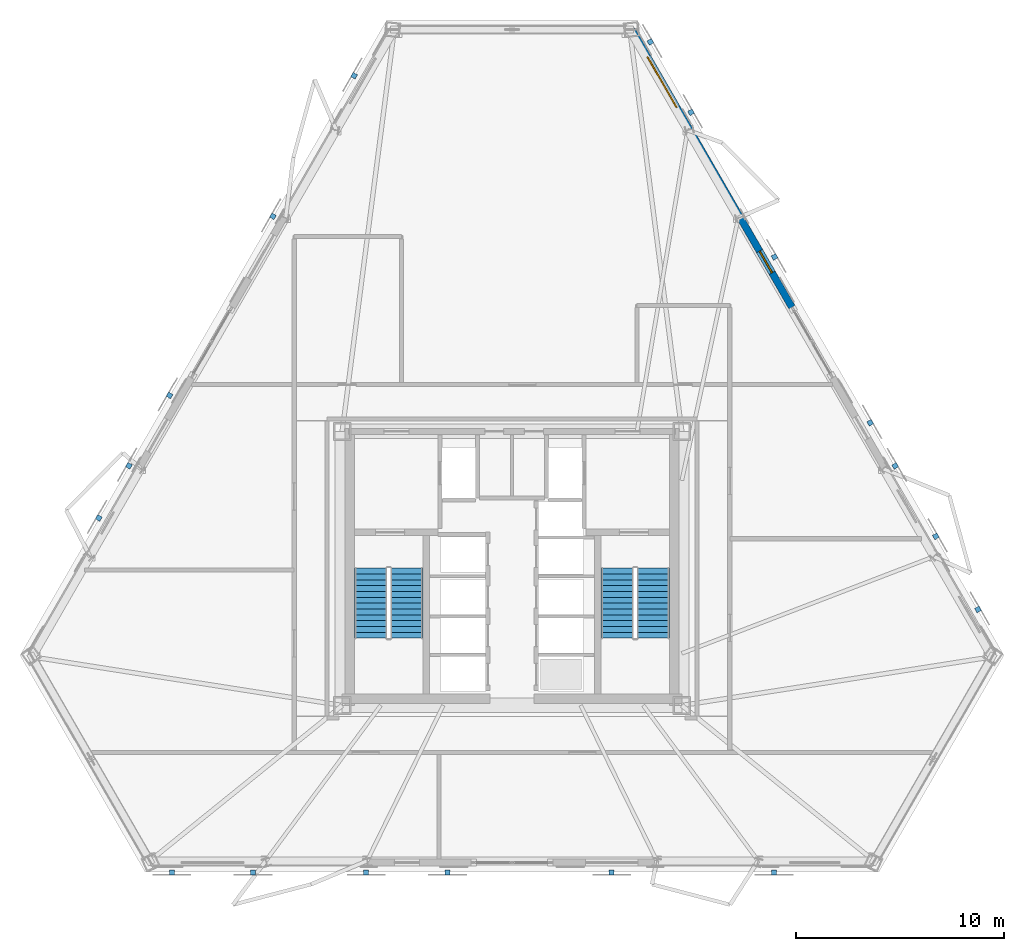
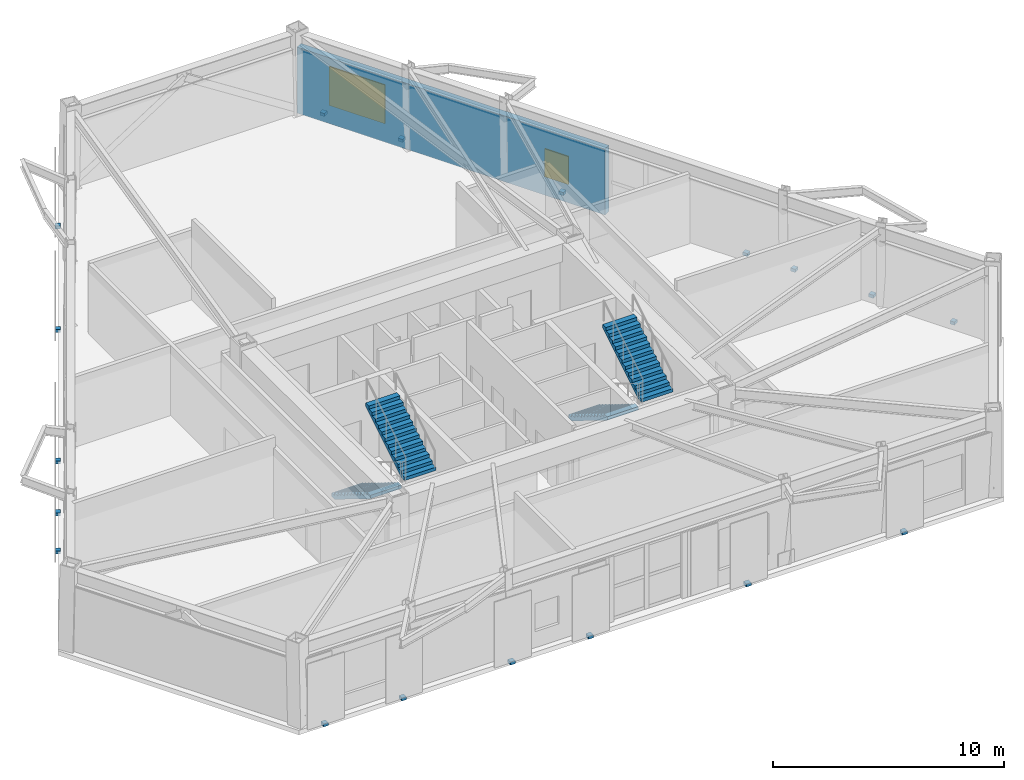
# One storey, part 10 of 14: 18 discrete accessories, 4 stair flights, 2 windows, 1 wall, 2 openings, 2 elements without a shape of their own.
"""IFC4 building model written with IfcOpenShell, lengths in metres."""

from ifc_helpers import new_model, si_unit, direction, frame, frame_2d, origin, origin_2d, place, context, subcontext, project, spatial, polyline, rectangle, outline, extrude, material, layer, layer_set, type_object, element, fill, aggregate, save


model = new_model("IFC4")

# Units and contexts
model_context = context("Model", 3, precision=1e-05, world=origin(), true_north=direction((0.0, 1.0)))
body_context = subcontext(model_context, "Body", "Model", "MODEL_VIEW")
ifc_project = project(units=[si_unit("LENGTHUNIT", "METRE"), si_unit("AREAUNIT", "SQUARE_METRE"), si_unit("VOLUMEUNIT", "CUBIC_METRE"), si_unit("PLANEANGLEUNIT", "RADIAN"), si_unit("MASSUNIT", "GRAM", prefix="KILO")], contexts=[model_context])

# Site, building, storey
site_placement = place(None, origin())
site = spatial("IfcSite", under=ifc_project, at=site_placement, CompositionType="ELEMENT")
building_placement = place(site_placement, origin())
building = spatial("IfcBuilding", under=site, at=building_placement, Name="Oramaril Tower", CompositionType="ELEMENT")
storey_placement = place(building_placement, frame((0.0, 0.0, 107.699951171875)))
storey = spatial("IfcBuildingStorey", under=building, at=storey_placement, Name="L28", CompositionType="ELEMENT", Elevation=107.699951171875)

# Wall, openings, windows
ifc_material_1 = material(Name="Warm Cream Limestone", Category="masonry")
ifc_layer = layer(ifc_material_1, 0.340087890625)
ifc_layer_set = layer_set([ifc_layer], Name="WT-EXT34")
wall_type = type_object("IfcWallType", Name="WT-EXT34", PredefinedType="SOLIDWALL", material=ifc_layer_set)
wall_placement = place(storey_placement, frame((50.936279296875, 30.109130859375, 0.0), z_axis=(0.0, 0.0, 1.0), x_axis=(-0.500002645523, 0.866023876385, 0.0)))
wall = element("IfcWall", 1, at=wall_placement, inside=storey, type_object=wall_type, Name="L28 Tower Limestone Facade Wall 4R", PredefinedType="SOLIDWALL", context=body_context, shape_type="SweptSolid", body=[
    extrude(rectangle(XDim=15.38671875, YDim=0.340087890625, at=frame_2d((7.693359375, 0.0))), origin(), (0.0, 0.0, 1.0), 3.47802734375),
])
opening_1_placement = place(wall_placement, frame((1.910888671875, 0.0, 0.85009765625)))
opening_1 = element("IfcOpeningElement", 2, at=opening_1_placement, cuts=wall, Name="Opening WN-09", PredefinedType="OPENING", context=body_context, shape_type="SweptSolid", body=[
    extrude(rectangle(XDim=1.199951171875, YDim=1.47998046875, at=frame_2d((0.60009765625, 0.739990234375))), frame((0.0, 0.169921875, 0.0), z_axis=(0.0, -1.0, 0.0), x_axis=(1.0, 0.0, 0.0)), (0.0, 0.0, 1.0), 0.340087890625),
])
opening_2_placement = place(wall_placement, frame((11.07568359375, 0.0, 0.85009765625)))
opening_2 = element("IfcOpeningElement", 3, at=opening_2_placement, cuts=wall, Name="Opening WN-01", PredefinedType="OPENING", context=body_context, shape_type="SweptSolid", body=[
    extrude(rectangle(XDim=2.800048828125, YDim=2.050048828125, at=frame_2d((1.39990234375, 1.02490234375))), frame((0.0, 0.169921875, 0.0), z_axis=(0.0, -1.0, 0.0), x_axis=(1.0, 0.0, 0.0)), (0.0, 0.0, 1.0), 0.340087890625),
])
ifc_material_2 = material(Name="Coastal Low-E Insulated Glass", Category="glass")
window_type_1 = type_object("IfcWindowType", Name="WNT-01", PartitioningType="SINGLE_PANEL", PredefinedType="WINDOW", material=ifc_material_2)
window_1_placement = place(opening_2_placement, origin())
window_1 = element("IfcWindow", 4, at=window_1_placement, inside=storey, type_object=window_type_1, Name="L28 Chicago Bay Window WN-01", OverallHeight=2.050048828125, OverallWidth=2.800048828125, PartitioningType="SINGLE_PANEL", PredefinedType="WINDOW", context=body_context, shape_type="SweptSolid", body=[
    extrude(rectangle(XDim=2.800048828125, YDim=2.050048828125, at=frame_2d((1.39990234375, 1.02490234375))), frame((0.0, 0.030029296875, 0.0), z_axis=(0.0, -1.0, 0.0), x_axis=(1.0, 0.0, 0.0)), (0.0, 0.0, 1.0), 0.06005859375),
])
fill(opening_2, window_1)
ifc_material_3 = material(Name="Coastal Low-E Insulated Glass", Category="glass")
window_type_2 = type_object("IfcWindowType", Name="WNT-09", PartitioningType="SINGLE_PANEL", PredefinedType="WINDOW", material=ifc_material_3)
window_2_placement = place(opening_1_placement, origin())
window_2 = element("IfcWindow", 5, at=window_2_placement, inside=storey, type_object=window_type_2, Name="L28 Chicago Bay Window WN-09", OverallHeight=1.47998046875, OverallWidth=1.199951171875, PartitioningType="SINGLE_PANEL", PredefinedType="WINDOW", context=body_context, shape_type="SweptSolid", body=[
    extrude(rectangle(XDim=1.199951171875, YDim=1.47998046875, at=frame_2d((0.60009765625, 0.739990234375))), frame((0.0, 0.030029296875, 0.0), z_axis=(0.0, -1.0, 0.0), x_axis=(1.0, 0.0, 0.0)), (0.0, 0.0, 1.0), 0.06005859375),
])
fill(opening_1, window_2)

# Stair, stair flights
ifc_material_4 = material(Name="Concrete C50/60", Category="concrete")
stair_type = type_object("IfcStairType", Name="STT-DG-4500", PredefinedType="HALF_TURN_STAIR", material=ifc_material_4)
stair_1_placement = place(storey_placement, origin())
stair_1 = element("IfcStair", 6, at=stair_1_placement, inside=storey, type_object=stair_type, Name="L28 Protected PFP Exit Stair ST-1", PredefinedType="HALF_TURN_STAIR")
ifc_material_5 = material(Name="Concrete C50/60", Category="concrete")
stair_flight_type = type_object("IfcStairFlightType", Name="SFT-DG-4500", PredefinedType="STRAIGHT", material=ifc_material_5)
stair_flight_1_placement = place(storey_placement, frame((30.72998046875, 17.590087890625, 0.0), z_axis=(0.0, 0.0, 1.0), x_axis=(0.0, -1.0, 0.0)))
stair_flight_1 = element("IfcStairFlight", 7, at=stair_flight_1_placement, type_object=stair_flight_type, Name="ST-1 flight 1", NumberOfRisers=13, NumberOfTreads=12, PredefinedType="STRAIGHT", RiserHeight=0.173076923, TreadLength=0.28, context=body_context, shape_type="SweptSolid", body=[
    extrude(outline(polyline([(0.0, 0.0), (0.0, 0.173095703125), (0.280029296875, 0.173095703125), (0.280029296875, 0.34619140625), (0.56005859375, 0.34619140625), (0.56005859375, 0.519287109375), (0.840087890625, 0.519287109375), (0.840087890625, 0.6923828125), (1.1201171875, 0.6923828125), (1.1201171875, 0.865478515625), (1.39990234375, 0.865478515625), (1.39990234375, 1.03857421875), (1.679931640625, 1.03857421875), (1.679931640625, 1.21142578125), (1.9599609375, 1.21142578125), (1.9599609375, 1.384521484375), (2.239990234375, 1.384521484375), (2.239990234375, 1.5576171875), (2.52001953125, 1.5576171875), (2.52001953125, 1.730712890625), (2.800048828125, 1.730712890625), (2.800048828125, 1.90380859375), (3.080078125, 1.90380859375), (3.080078125, 2.076904296875), (3.360107421875, 2.076904296875), (3.360107421875, 2.25), (3.360107421875, 1.900634765625), (0.28515625, 0.0), (0.0, 0.0)])), frame((0.0, 0.780029296875, 0.0), z_axis=(0.0, -1.0, 0.0), x_axis=(1.0, 0.0, 0.0)), (0.0, 0.0, 1.0), 1.56005859375),
])
stair_flight_2_placement = place(storey_placement, frame((32.43994140625, 14.22998046875, 2.25), z_axis=(0.0, 0.0, 1.0), x_axis=(0.0, 1.0, 0.0)))
stair_flight_2 = element("IfcStairFlight", 8, at=stair_flight_2_placement, type_object=stair_flight_type, Name="ST-1 flight 2", NumberOfRisers=13, NumberOfTreads=12, PredefinedType="STRAIGHT", RiserHeight=0.173076923, TreadLength=0.28, context=body_context, shape_type="SweptSolid", body=[
    extrude(outline(polyline([(0.0, 0.0), (0.0, 0.173095703125), (0.280029296875, 0.173095703125), (0.280029296875, 0.34619140625), (0.56005859375, 0.34619140625), (0.56005859375, 0.519287109375), (0.840087890625, 0.519287109375), (0.840087890625, 0.6923828125), (1.1201171875, 0.6923828125), (1.1201171875, 0.865478515625), (1.39990234375, 0.865478515625), (1.39990234375, 1.03857421875), (1.679931640625, 1.03857421875), (1.679931640625, 1.21142578125), (1.9599609375, 1.21142578125), (1.9599609375, 1.384521484375), (2.239990234375, 1.384521484375), (2.239990234375, 1.5576171875), (2.52001953125, 1.5576171875), (2.52001953125, 1.730712890625), (2.800048828125, 1.730712890625), (2.800048828125, 1.90380859375), (3.080078125, 1.90380859375), (3.080078125, 2.076904296875), (3.360107421875, 2.076904296875), (3.360107421875, 2.25), (3.360107421875, 1.900634765625), (0.28515625, 0.0), (0.0, 0.0)])), frame((0.0, 0.780029296875, 0.0), z_axis=(0.0, -1.0, 0.0), x_axis=(1.0, 0.0, 0.0)), (0.0, 0.0, 1.0), 1.56005859375),
])
aggregate(stair_1, [stair_flight_1, stair_flight_2])

stair_2_placement = place(storey_placement, origin())
stair_2 = element("IfcStair", 9, at=stair_2_placement, inside=storey, type_object=stair_type, Name="L28 Protected PFP Exit Stair ST-2", PredefinedType="HALF_TURN_STAIR")
stair_flight_3_placement = place(storey_placement, frame((42.56005859375, 17.590087890625, 0.0), z_axis=(0.0, 0.0, 1.0), x_axis=(0.0, -1.0, 0.0)))
stair_flight_3 = element("IfcStairFlight", 10, at=stair_flight_3_placement, type_object=stair_flight_type, Name="ST-2 flight 1", NumberOfRisers=13, NumberOfTreads=12, PredefinedType="STRAIGHT", RiserHeight=0.173076923, TreadLength=0.28, context=body_context, shape_type="SweptSolid", body=[
    extrude(outline(polyline([(0.0, 0.0), (0.0, 0.173095703125), (0.280029296875, 0.173095703125), (0.280029296875, 0.34619140625), (0.56005859375, 0.34619140625), (0.56005859375, 0.519287109375), (0.840087890625, 0.519287109375), (0.840087890625, 0.6923828125), (1.1201171875, 0.6923828125), (1.1201171875, 0.865478515625), (1.39990234375, 0.865478515625), (1.39990234375, 1.03857421875), (1.679931640625, 1.03857421875), (1.679931640625, 1.21142578125), (1.9599609375, 1.21142578125), (1.9599609375, 1.384521484375), (2.239990234375, 1.384521484375), (2.239990234375, 1.5576171875), (2.52001953125, 1.5576171875), (2.52001953125, 1.730712890625), (2.800048828125, 1.730712890625), (2.800048828125, 1.90380859375), (3.080078125, 1.90380859375), (3.080078125, 2.076904296875), (3.360107421875, 2.076904296875), (3.360107421875, 2.25), (3.360107421875, 1.900634765625), (0.28515625, 0.0), (0.0, 0.0)])), frame((0.0, 0.780029296875, 0.0), z_axis=(0.0, -1.0, 0.0), x_axis=(1.0, 0.0, 0.0)), (0.0, 0.0, 1.0), 1.56005859375),
])
stair_flight_4_placement = place(storey_placement, frame((44.27001953125, 14.22998046875, 2.25), z_axis=(0.0, 0.0, 1.0), x_axis=(0.0, 1.0, 0.0)))
stair_flight_4 = element("IfcStairFlight", 11, at=stair_flight_4_placement, type_object=stair_flight_type, Name="ST-2 flight 2", NumberOfRisers=13, NumberOfTreads=12, PredefinedType="STRAIGHT", RiserHeight=0.173076923, TreadLength=0.28, context=body_context, shape_type="SweptSolid", body=[
    extrude(outline(polyline([(0.0, 0.0), (0.0, 0.173095703125), (0.280029296875, 0.173095703125), (0.280029296875, 0.34619140625), (0.56005859375, 0.34619140625), (0.56005859375, 0.519287109375), (0.840087890625, 0.519287109375), (0.840087890625, 0.6923828125), (1.1201171875, 0.6923828125), (1.1201171875, 0.865478515625), (1.39990234375, 0.865478515625), (1.39990234375, 1.03857421875), (1.679931640625, 1.03857421875), (1.679931640625, 1.21142578125), (1.9599609375, 1.21142578125), (1.9599609375, 1.384521484375), (2.239990234375, 1.384521484375), (2.239990234375, 1.5576171875), (2.52001953125, 1.5576171875), (2.52001953125, 1.730712890625), (2.800048828125, 1.730712890625), (2.800048828125, 1.90380859375), (3.080078125, 1.90380859375), (3.080078125, 2.076904296875), (3.360107421875, 2.076904296875), (3.360107421875, 2.25), (3.360107421875, 1.900634765625), (0.28515625, 0.0), (0.0, 0.0)])), frame((0.0, 0.780029296875, 0.0), z_axis=(0.0, -1.0, 0.0), x_axis=(1.0, 0.0, 0.0)), (0.0, 0.0, 1.0), 1.56005859375),
])
aggregate(stair_2, [stair_flight_3, stair_flight_4])

# Discrete accessories
for number, where, z_axis, x_axis, name in (
    (12, (21.17431640625, 2.9794921875, -0.14013671875), (0.0, 0.0, 1.0), (1.0, 0.0, 0.0), "L28 Solar Screen Slab Bracket"),
    (13, (25.07421875, 2.9794921875, -0.14013671875), (0.0, 0.0, 1.0), (1.0, 0.0, 0.0), "L28 Solar Screen Slab Bracket"),
    (14, (30.5048828125, 2.9794921875, -0.14013671875), (0.0, 0.0, 1.0), (1.0, 0.0, 0.0), "L28 Solar Screen Slab Bracket"),
    (15, (34.40478515625, 2.9794921875, -0.14013671875), (0.0, 0.0, 1.0), (1.0, 0.0, 0.0), "L28 Solar Screen Slab Bracket"),
    (16, (42.285888671875, 2.9794921875, -0.14013671875), (0.0, 0.0, 1.0), (1.0, 0.0, 0.0), "L28 Solar Screen Slab Bracket"),
    (17, (50.07568359375, 2.9794921875, -0.14013671875), (0.0, 0.0, 1.0), (1.0, 0.0, 0.0), "L28 Solar Screen Slab Bracket"),
    (18, (59.86376953125, 15.60595703125, -0.14013671875), (0.0, 0.0, 1.0), (-0.499996976998, 0.866027149108, 0.0), "L28 Solar Screen Slab Bracket"),
    (19, (57.83740234375, 19.11572265625, -0.14013671875), (0.0, 0.0, 1.0), (-0.499996976998, 0.866027149108, 0.0), "L28 Solar Screen Slab Bracket"),
    (20, (55.887451171875, 22.4931640625, -0.14013671875), (0.0, 0.0, 1.0), (-0.499996976998, 0.866027149108, 0.0), "L28 Solar Screen Slab Bracket"),
    (21, (54.691162109375, 24.5654296875, -0.14013671875), (0.0, 0.0, 1.0), (-0.499996976998, 0.866027149108, 0.0), "L28 Solar Screen Slab Bracket"),
    (22, (50.096435546875, 32.5234375, -0.14013671875), (0.0, 0.0, 1.0), (-0.5, 0.866025403784, 0.0), "L28 Solar Screen Slab Bracket"),
    (23, (46.089111328125, 39.464599609375, -0.14013671875), (0.0, 0.0, 1.0), (-0.5, 0.866025403784, 0.0), "L28 Solar Screen Slab Bracket"),
    (24, (44.138916015625, 42.84228515625, -0.14013671875), (0.0, 0.0, 1.0), (-0.5, 0.866025403784, 0.0), "L28 Solar Screen Slab Bracket"),
    (25, (29.923583984375, 41.218505859375, -0.14013671875), (0.0, 0.0, 1.0), (-0.499996976998, -0.866027149108, 0.0), "L28 Solar Screen Slab Bracket"),
    (26, (26.028564453125, 34.471923828125, -0.14013671875), (0.0, 0.0, 1.0), (-0.499996976998, -0.866027149108, 0.0), "L28 Solar Screen Slab Bracket"),
    (27, (21.0673828125, 25.879150390625, -0.14013671875), (0.0, 0.0, 1.0), (-0.5, -0.866025403784, 0.0), "L28 Solar Screen Slab Bracket"),
    (28, (19.117431640625, 22.501708984375, -0.14013671875), (0.0, 0.0, 1.0), (-0.5, -0.866025403784, 0.0), "L28 Solar Screen Slab Bracket"),
    (29, (17.67138671875, 19.996826171875, -0.14013671875), (0.0, 0.0, 1.0), (-0.5, -0.866025403784, 0.0), "L28 Solar Screen Slab Bracket"),
):
    element("IfcDiscreteAccessory", number, at=place(storey_placement, frame(where, z_axis=z_axis, x_axis=x_axis)), inside=storey, Name=name, PredefinedType="BRACKET", context=body_context, shape_type="SweptSolid", body=[
        extrude(rectangle(XDim=0.239990234375, YDim=0.239990234375, at=origin_2d()), origin(), (0.0, 0.0, 1.0), 0.159912109375),
    ])

save(model, "model.ifc")
